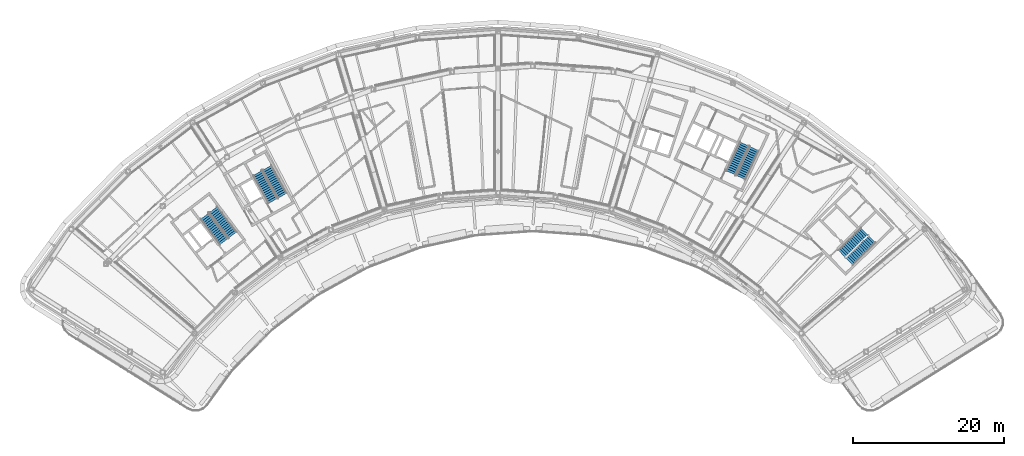
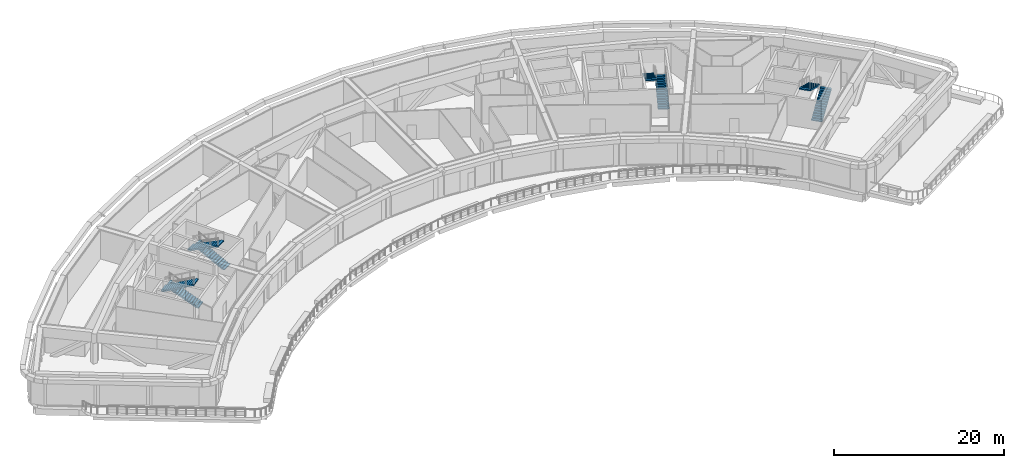
# One storey, part 12 of 24: 8 stair flights, 4 elements without a shape of their own.
"""IFC4 building model written with IfcOpenShell, lengths in metres."""

from ifc_helpers import new_model, si_unit, direction, frame, origin, place, context, subcontext, project, spatial, polyline, outline, extrude, material, type_object, element, aggregate, save


model = new_model("IFC4")

# Units and contexts
model_context = context("Model", 3, precision=1e-05, world=origin(), true_north=direction((0.0, 1.0)))
body_context = subcontext(model_context, "Body", "Model", "MODEL_VIEW")
ifc_project = project(units=[si_unit("LENGTHUNIT", "METRE"), si_unit("AREAUNIT", "SQUARE_METRE"), si_unit("VOLUMEUNIT", "CUBIC_METRE"), si_unit("PLANEANGLEUNIT", "RADIAN"), si_unit("MASSUNIT", "GRAM", prefix="KILO")], contexts=[model_context])

# Site, building, storey
site_placement = place(None, origin())
site = spatial("IfcSite", under=ifc_project, at=site_placement, CompositionType="ELEMENT")
building_placement = place(site_placement, origin())
building = spatial("IfcBuilding", under=site, at=building_placement, Name="Tuul Gate Civic Tower", CompositionType="ELEMENT")
storey_placement = place(building_placement, frame((0.0, 0.0, 315.199951171875)))
storey = spatial("IfcBuildingStorey", under=building, at=storey_placement, Name="Plant and refuge floor 7", CompositionType="ELEMENT", Elevation=315.199951171875)

# Stair, stair flights
ifc_material_1 = material(Name="Concrete C40/50", Category="concrete")
stair_type = type_object("IfcStairType", Name="Exit stair", PredefinedType="HALF_TURN_STAIR", material=ifc_material_1)
stair_1_placement = place(storey_placement, origin())
stair_1 = element("IfcStair", 1, at=stair_1_placement, inside=storey, type_object=stair_type, Name="Plant and refuge floor 7 ST-1", PredefinedType="HALF_TURN_STAIR")
ifc_material_2 = material(Name="Concrete C40/50", Category="concrete")
stair_flight_type = type_object("IfcStairFlightType", Name="Exit stair flight", PredefinedType="STRAIGHT", material=ifc_material_2)
stair_flight_1_placement = place(storey_placement, frame((-32.875244140625, -13.066650390625, 0.0), z_axis=(0.0, 0.0, 1.0), x_axis=(-0.605764474941, 0.795644016442, 0.0)))
stair_flight_1 = element("IfcStairFlight", 2, at=stair_flight_1_placement, type_object=stair_flight_type, Name="ST-1 flight 1", NumberOfRisers=15, NumberOfTreads=14, PredefinedType="STRAIGHT", RiserHeight=0.15, TreadLength=0.3, context=body_context, shape_type="SweptSolid", body=[
    extrude(outline(polyline([(0.0, 0.0), (0.0, 0.14990234375), (0.300048828125, 0.14990234375), (0.300048828125, 0.300048828125), (0.60009765625, 0.300048828125), (0.60009765625, 0.449951171875), (0.89990234375, 0.449951171875), (0.89990234375, 0.60009765625), (1.199951171875, 0.60009765625), (1.199951171875, 0.75), (1.5, 0.75), (1.5, 0.89990234375), (1.800048828125, 0.89990234375), (1.800048828125, 1.050048828125), (2.10009765625, 1.050048828125), (2.10009765625, 1.199951171875), (2.39990234375, 1.199951171875), (2.39990234375, 1.35009765625), (2.699951171875, 1.35009765625), (2.699951171875, 1.5), (3.0, 1.5), (3.0, 1.64990234375), (3.300048828125, 1.64990234375), (3.300048828125, 1.800048828125), (3.60009765625, 1.800048828125), (3.60009765625, 1.949951171875), (3.89990234375, 1.949951171875), (3.89990234375, 2.10009765625), (4.199951171875, 2.10009765625), (4.199951171875, 2.25), (4.199951171875, 1.932373046875), (0.335205078125, 0.0), (0.0, 0.0)])), frame((0.0, 0.675048828125, 0.0), z_axis=(0.0, -1.0, 0.0), x_axis=(1.0, 0.0, 0.0)), (0.0, 0.0, 1.0), 1.35009765625),
])
stair_flight_2_placement = place(storey_placement, frame((-36.5732421875, -10.603515625, 2.25), z_axis=(0.0, 0.0, 1.0), x_axis=(0.605764474941, -0.795644016442, 0.0)))
stair_flight_2 = element("IfcStairFlight", 3, at=stair_flight_2_placement, type_object=stair_flight_type, Name="ST-1 flight 2", NumberOfRisers=15, NumberOfTreads=14, PredefinedType="STRAIGHT", RiserHeight=0.15, TreadLength=0.3, context=body_context, shape_type="SweptSolid", body=[
    extrude(outline(polyline([(0.0, 0.0), (0.0, 0.14990234375), (0.300048828125, 0.14990234375), (0.300048828125, 0.300048828125), (0.60009765625, 0.300048828125), (0.60009765625, 0.449951171875), (0.89990234375, 0.449951171875), (0.89990234375, 0.60009765625), (1.199951171875, 0.60009765625), (1.199951171875, 0.75), (1.5, 0.75), (1.5, 0.89990234375), (1.800048828125, 0.89990234375), (1.800048828125, 1.050048828125), (2.10009765625, 1.050048828125), (2.10009765625, 1.199951171875), (2.39990234375, 1.199951171875), (2.39990234375, 1.35009765625), (2.699951171875, 1.35009765625), (2.699951171875, 1.5), (3.0, 1.5), (3.0, 1.64990234375), (3.300048828125, 1.64990234375), (3.300048828125, 1.800048828125), (3.60009765625, 1.800048828125), (3.60009765625, 1.949951171875), (3.89990234375, 1.949951171875), (3.89990234375, 2.10009765625), (4.199951171875, 2.10009765625), (4.199951171875, 2.25), (4.199951171875, 1.932373046875), (0.335205078125, 0.0), (0.0, 0.0)])), frame((0.0, 0.675048828125, 0.0), z_axis=(0.0, -1.0, 0.0), x_axis=(1.0, 0.0, 0.0)), (0.0, 0.0, 1.0), 1.35009765625),
])
aggregate(stair_1, [stair_flight_1, stair_flight_2])

stair_2_placement = place(storey_placement, origin())
stair_2 = element("IfcStair", 4, at=stair_2_placement, inside=storey, type_object=stair_type, Name="Plant and refuge floor 7 ST-2", PredefinedType="HALF_TURN_STAIR")
stair_flight_3_placement = place(storey_placement, frame((-26.29150390625, -7.87646484375, 0.0), z_axis=(0.0, 0.0, 1.0), x_axis=(-0.484761763766, 0.874646232708, 0.0)))
stair_flight_3 = element("IfcStairFlight", 5, at=stair_flight_3_placement, type_object=stair_flight_type, Name="ST-2 flight 1", NumberOfRisers=15, NumberOfTreads=14, PredefinedType="STRAIGHT", RiserHeight=0.15, TreadLength=0.3, context=body_context, shape_type="SweptSolid", body=[
    extrude(outline(polyline([(0.0, 0.0), (0.0, 0.14990234375), (0.300048828125, 0.14990234375), (0.300048828125, 0.300048828125), (0.60009765625, 0.300048828125), (0.60009765625, 0.449951171875), (0.89990234375, 0.449951171875), (0.89990234375, 0.60009765625), (1.199951171875, 0.60009765625), (1.199951171875, 0.75), (1.5, 0.75), (1.5, 0.89990234375), (1.800048828125, 0.89990234375), (1.800048828125, 1.050048828125), (2.10009765625, 1.050048828125), (2.10009765625, 1.199951171875), (2.39990234375, 1.199951171875), (2.39990234375, 1.35009765625), (2.699951171875, 1.35009765625), (2.699951171875, 1.5), (3.0, 1.5), (3.0, 1.64990234375), (3.300048828125, 1.64990234375), (3.300048828125, 1.800048828125), (3.60009765625, 1.800048828125), (3.60009765625, 1.949951171875), (3.89990234375, 1.949951171875), (3.89990234375, 2.10009765625), (4.199951171875, 2.10009765625), (4.199951171875, 2.25), (4.199951171875, 1.932373046875), (0.335205078125, 0.0), (0.0, 0.0)])), frame((0.0, 0.675048828125, 0.0), z_axis=(0.0, -1.0, 0.0), x_axis=(1.0, 0.0, 0.0)), (0.0, 0.0, 1.0), 1.35009765625),
])
stair_flight_4_placement = place(storey_placement, frame((-29.595947265625, -4.90576171875, 2.25), z_axis=(0.0, 0.0, 1.0), x_axis=(0.484761763766, -0.874646232708, 0.0)))
stair_flight_4 = element("IfcStairFlight", 6, at=stair_flight_4_placement, type_object=stair_flight_type, Name="ST-2 flight 2", NumberOfRisers=15, NumberOfTreads=14, PredefinedType="STRAIGHT", RiserHeight=0.15, TreadLength=0.3, context=body_context, shape_type="SweptSolid", body=[
    extrude(outline(polyline([(0.0, 0.0), (0.0, 0.14990234375), (0.300048828125, 0.14990234375), (0.300048828125, 0.300048828125), (0.60009765625, 0.300048828125), (0.60009765625, 0.449951171875), (0.89990234375, 0.449951171875), (0.89990234375, 0.60009765625), (1.199951171875, 0.60009765625), (1.199951171875, 0.75), (1.5, 0.75), (1.5, 0.89990234375), (1.800048828125, 0.89990234375), (1.800048828125, 1.050048828125), (2.10009765625, 1.050048828125), (2.10009765625, 1.199951171875), (2.39990234375, 1.199951171875), (2.39990234375, 1.35009765625), (2.699951171875, 1.35009765625), (2.699951171875, 1.5), (3.0, 1.5), (3.0, 1.64990234375), (3.300048828125, 1.64990234375), (3.300048828125, 1.800048828125), (3.60009765625, 1.800048828125), (3.60009765625, 1.949951171875), (3.89990234375, 1.949951171875), (3.89990234375, 2.10009765625), (4.199951171875, 2.10009765625), (4.199951171875, 2.25), (4.199951171875, 1.932373046875), (0.335205078125, 0.0), (0.0, 0.0)])), frame((0.0, 0.675048828125, 0.0), z_axis=(0.0, -1.0, 0.0), x_axis=(1.0, 0.0, 0.0)), (0.0, 0.0, 1.0), 1.35009765625),
])
aggregate(stair_2, [stair_flight_3, stair_flight_4])

stair_3_placement = place(storey_placement, origin())
stair_3 = element("IfcStair", 7, at=stair_3_placement, inside=storey, type_object=stair_type, Name="Plant and refuge floor 7 ST-3", PredefinedType="HALF_TURN_STAIR")
stair_flight_5_placement = place(storey_placement, frame((48.61376953125, -16.581787109375, 0.0), z_axis=(0.0, 0.0, 1.0), x_axis=(0.714127290059, 0.700015866672, 0.0)))
stair_flight_5 = element("IfcStairFlight", 8, at=stair_flight_5_placement, type_object=stair_flight_type, Name="ST-3 flight 1", NumberOfRisers=15, NumberOfTreads=14, PredefinedType="STRAIGHT", RiserHeight=0.15, TreadLength=0.3, context=body_context, shape_type="SweptSolid", body=[
    extrude(outline(polyline([(0.0, 0.0), (0.0, 0.14990234375), (0.300048828125, 0.14990234375), (0.300048828125, 0.300048828125), (0.60009765625, 0.300048828125), (0.60009765625, 0.449951171875), (0.89990234375, 0.449951171875), (0.89990234375, 0.60009765625), (1.199951171875, 0.60009765625), (1.199951171875, 0.75), (1.5, 0.75), (1.5, 0.89990234375), (1.800048828125, 0.89990234375), (1.800048828125, 1.050048828125), (2.10009765625, 1.050048828125), (2.10009765625, 1.199951171875), (2.39990234375, 1.199951171875), (2.39990234375, 1.35009765625), (2.699951171875, 1.35009765625), (2.699951171875, 1.5), (3.0, 1.5), (3.0, 1.64990234375), (3.300048828125, 1.64990234375), (3.300048828125, 1.800048828125), (3.60009765625, 1.800048828125), (3.60009765625, 1.949951171875), (3.89990234375, 1.949951171875), (3.89990234375, 2.10009765625), (4.199951171875, 2.10009765625), (4.199951171875, 2.25), (4.199951171875, 1.932373046875), (0.335205078125, 0.0), (0.0, 0.0)])), frame((0.0, 0.675048828125, 0.0), z_axis=(0.0, -1.0, 0.0), x_axis=(1.0, 0.0, 0.0)), (0.0, 0.0, 1.0), 1.35009765625),
])
stair_flight_6_placement = place(storey_placement, frame((50.59814453125, -12.606201171875, 2.25), z_axis=(0.0, 0.0, 1.0), x_axis=(-0.714127290059, -0.700015866672, 0.0)))
stair_flight_6 = element("IfcStairFlight", 9, at=stair_flight_6_placement, type_object=stair_flight_type, Name="ST-3 flight 2", NumberOfRisers=15, NumberOfTreads=14, PredefinedType="STRAIGHT", RiserHeight=0.15, TreadLength=0.3, context=body_context, shape_type="SweptSolid", body=[
    extrude(outline(polyline([(0.0, 0.0), (0.0, 0.14990234375), (0.300048828125, 0.14990234375), (0.300048828125, 0.300048828125), (0.60009765625, 0.300048828125), (0.60009765625, 0.449951171875), (0.89990234375, 0.449951171875), (0.89990234375, 0.60009765625), (1.199951171875, 0.60009765625), (1.199951171875, 0.75), (1.5, 0.75), (1.5, 0.89990234375), (1.800048828125, 0.89990234375), (1.800048828125, 1.050048828125), (2.10009765625, 1.050048828125), (2.10009765625, 1.199951171875), (2.39990234375, 1.199951171875), (2.39990234375, 1.35009765625), (2.699951171875, 1.35009765625), (2.699951171875, 1.5), (3.0, 1.5), (3.0, 1.64990234375), (3.300048828125, 1.64990234375), (3.300048828125, 1.800048828125), (3.60009765625, 1.800048828125), (3.60009765625, 1.949951171875), (3.89990234375, 1.949951171875), (3.89990234375, 2.10009765625), (4.199951171875, 2.10009765625), (4.199951171875, 2.25), (4.199951171875, 1.932373046875), (0.335205078125, 0.0), (0.0, 0.0)])), frame((0.0, 0.675048828125, 0.0), z_axis=(0.0, -1.0, 0.0), x_axis=(1.0, 0.0, 0.0)), (0.0, 0.0, 1.0), 1.35009765625),
])
aggregate(stair_3, [stair_flight_5, stair_flight_6])

stair_4_placement = place(storey_placement, origin())
stair_4 = element("IfcStair", 10, at=stair_4_placement, inside=storey, type_object=stair_type, Name="Plant and refuge floor 7 ST-4", PredefinedType="HALF_TURN_STAIR")
stair_flight_7_placement = place(storey_placement, frame((34.278564453125, -5.478515625, 0.0), z_axis=(0.0, 0.0, 1.0), x_axis=(0.422576295988, 0.906327354806, 0.0)))
stair_flight_7 = element("IfcStairFlight", 11, at=stair_flight_7_placement, type_object=stair_flight_type, Name="ST-4 flight 1", NumberOfRisers=15, NumberOfTreads=14, PredefinedType="STRAIGHT", RiserHeight=0.15, TreadLength=0.3, context=body_context, shape_type="SweptSolid", body=[
    extrude(outline(polyline([(0.0, 0.0), (0.0, 0.14990234375), (0.300048828125, 0.14990234375), (0.300048828125, 0.300048828125), (0.60009765625, 0.300048828125), (0.60009765625, 0.449951171875), (0.89990234375, 0.449951171875), (0.89990234375, 0.60009765625), (1.199951171875, 0.60009765625), (1.199951171875, 0.75), (1.5, 0.75), (1.5, 0.89990234375), (1.800048828125, 0.89990234375), (1.800048828125, 1.050048828125), (2.10009765625, 1.050048828125), (2.10009765625, 1.199951171875), (2.39990234375, 1.199951171875), (2.39990234375, 1.35009765625), (2.699951171875, 1.35009765625), (2.699951171875, 1.5), (3.0, 1.5), (3.0, 1.64990234375), (3.300048828125, 1.64990234375), (3.300048828125, 1.800048828125), (3.60009765625, 1.800048828125), (3.60009765625, 1.949951171875), (3.89990234375, 1.949951171875), (3.89990234375, 2.10009765625), (4.199951171875, 2.10009765625), (4.199951171875, 2.25), (4.199951171875, 1.932373046875), (0.335205078125, 0.0), (0.0, 0.0)])), frame((0.0, 0.675048828125, 0.0), z_axis=(0.0, -1.0, 0.0), x_axis=(1.0, 0.0, 0.0)), (0.0, 0.0, 1.0), 1.35009765625),
])
stair_flight_8_placement = place(storey_placement, frame((34.7392578125, -1.059326171875, 2.25), z_axis=(0.0, 0.0, 1.0), x_axis=(-0.422576295988, -0.906327354806, 0.0)))
stair_flight_8 = element("IfcStairFlight", 12, at=stair_flight_8_placement, type_object=stair_flight_type, Name="ST-4 flight 2", NumberOfRisers=15, NumberOfTreads=14, PredefinedType="STRAIGHT", RiserHeight=0.15, TreadLength=0.3, context=body_context, shape_type="SweptSolid", body=[
    extrude(outline(polyline([(0.0, 0.0), (0.0, 0.14990234375), (0.300048828125, 0.14990234375), (0.300048828125, 0.300048828125), (0.60009765625, 0.300048828125), (0.60009765625, 0.449951171875), (0.89990234375, 0.449951171875), (0.89990234375, 0.60009765625), (1.199951171875, 0.60009765625), (1.199951171875, 0.75), (1.5, 0.75), (1.5, 0.89990234375), (1.800048828125, 0.89990234375), (1.800048828125, 1.050048828125), (2.10009765625, 1.050048828125), (2.10009765625, 1.199951171875), (2.39990234375, 1.199951171875), (2.39990234375, 1.35009765625), (2.699951171875, 1.35009765625), (2.699951171875, 1.5), (3.0, 1.5), (3.0, 1.64990234375), (3.300048828125, 1.64990234375), (3.300048828125, 1.800048828125), (3.60009765625, 1.800048828125), (3.60009765625, 1.949951171875), (3.89990234375, 1.949951171875), (3.89990234375, 2.10009765625), (4.199951171875, 2.10009765625), (4.199951171875, 2.25), (4.199951171875, 1.932373046875), (0.335205078125, 0.0), (0.0, 0.0)])), frame((0.0, 0.675048828125, 0.0), z_axis=(0.0, -1.0, 0.0), x_axis=(1.0, 0.0, 0.0)), (0.0, 0.0, 1.0), 1.35009765625),
])
aggregate(stair_4, [stair_flight_7, stair_flight_8])

save(model, "model.ifc")
